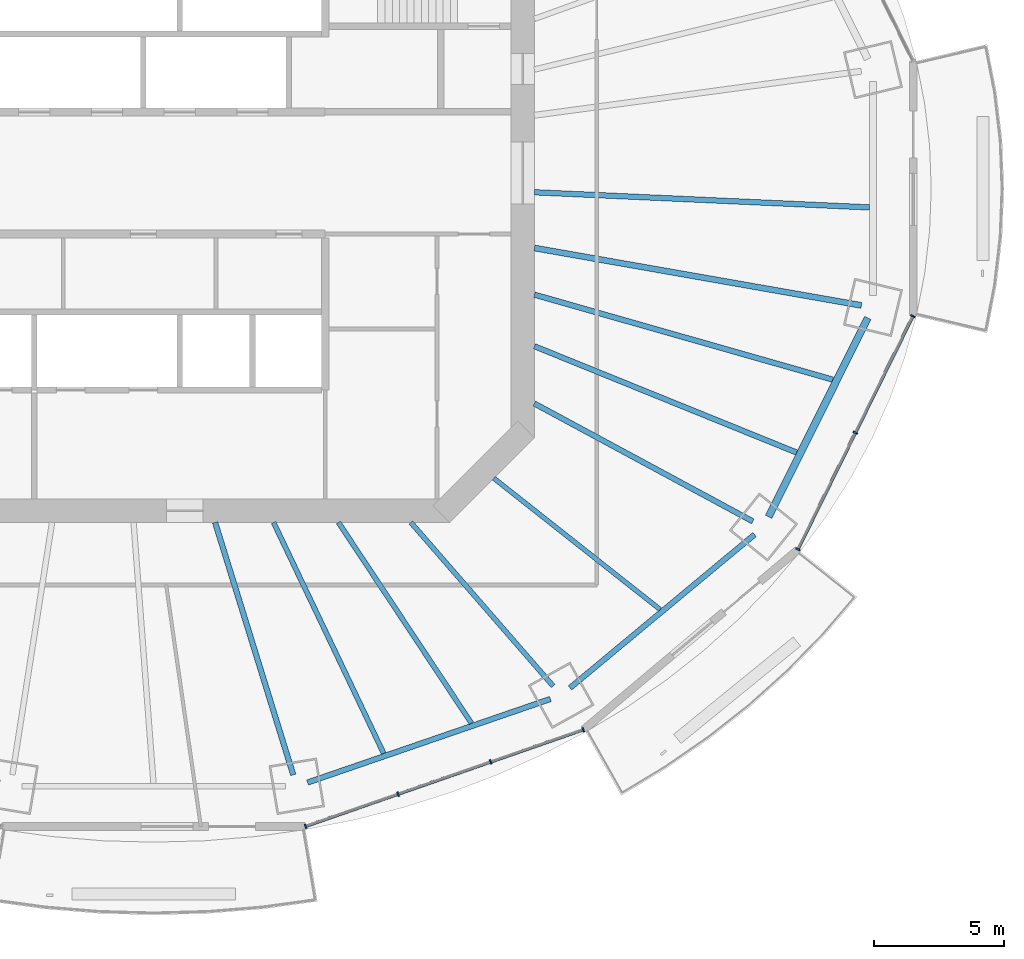
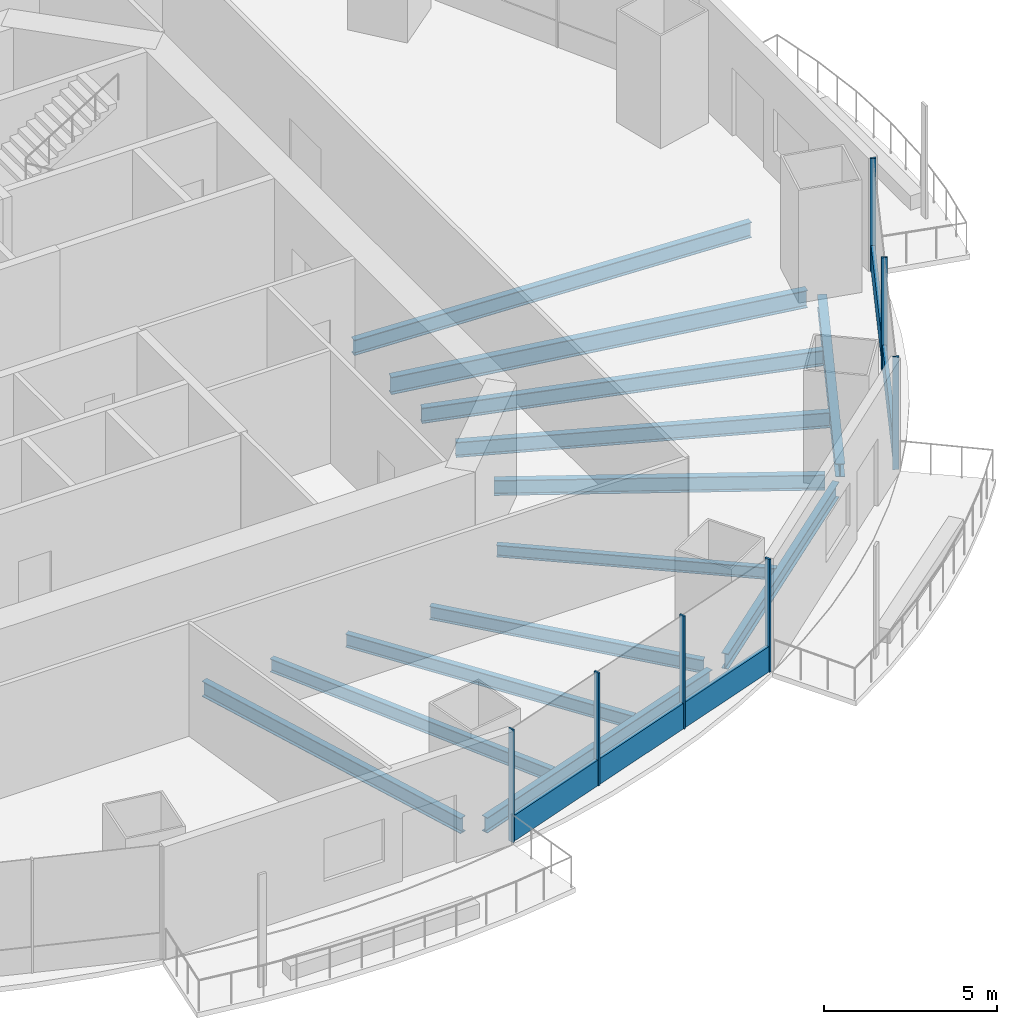
# One storey, part 4 of 19: 13 beams, 9 members, 2 elements without a shape of their own.
"""IFC4 building model written with IfcOpenShell, lengths in metres."""

import ifcopenshell
import ifcopenshell.guid

model = None  # the IFC model being written
_history = None  # IfcOwnerHistory: only IFC2X3 demands one
_inside = {}  # id of a spatial element -> (the spatial element, [elements in it])
_under = {}  # id of a project, library or spatial element -> (it, [spatial elements below it])
_declared = {}  # id of a project -> (the project, [libraries it declares])
_typed = {}  # id of a type object -> (the type object, [elements of that type])
_made_of = {}  # id of a material, layer set ... -> (it, [elements and type objects made of it])


def new_model(schema):
    """Start an empty IFC model of exactly this schema.

    Asked for "IFC4X3", IfcOpenShell would pick the latest addendum, in which some entities
    have other attributes; the version numbers below select the first issue.
    IFC2X3 requires an IfcOwnerHistory on every rooted entity: one is made here for all.
    """
    global model, _history
    if schema == "IFC4X3":
        model = ifcopenshell.file(schema_version=(4, 3, 0, 0))
    else:
        model = ifcopenshell.file(schema=schema)
    _inside.clear()
    _under.clear()
    _declared.clear()
    _typed.clear()
    _made_of.clear()
    _history = None
    if model.schema == "IFC2X3":
        org = make("IfcOrganization", Name="unknown")
        user = make(
            "IfcPersonAndOrganization",
            ThePerson=make("IfcPerson", FamilyName="unknown"),
            TheOrganization=org,
        )
        app = make(
            "IfcApplication",
            ApplicationDeveloper=org,
            Version="unknown",
            ApplicationFullName="unknown",
            ApplicationIdentifier="unknown",
        )
        _history = make(
            "IfcOwnerHistory",
            OwningUser=user,
            OwningApplication=app,
            ChangeAction="ADDED",
            CreationDate=0,
        )
    return model


def make(cls, **values):
    """One entity of the class cls with the attributes given. An attribute that is None is left unset."""
    return model.create_entity(
        cls, **{name: value for name, value in values.items() if value is not None}
    )


def rooted(cls, **values):
    """An entity with a GlobalId (a new one), such as an element, a storey or a relation."""
    return make(cls, GlobalId=ifcopenshell.guid.new(), OwnerHistory=_history, **values)


def si_unit(unit_type, name, prefix=None):
    """IfcSIUnit, for example si_unit("LENGTHUNIT", "METRE", prefix="MILLI")."""
    return make("IfcSIUnit", UnitType=unit_type, Prefix=prefix, Name=name)


def assignment(units):
    """IfcUnitAssignment: the units of a project."""
    return None if units is None else make("IfcUnitAssignment", Units=units)


def point(xyz):
    """IfcCartesianPoint."""
    return None if xyz is None else make("IfcCartesianPoint", Coordinates=xyz)


def direction(xyz):
    """IfcDirection."""
    return None if xyz is None else make("IfcDirection", DirectionRatios=xyz)


def frame(location, z_axis=None, x_axis=None):
    """IfcAxis2Placement3D, a coordinate frame: its origin and axes. An axis left out is left unset."""
    return make(
        "IfcAxis2Placement3D",
        Location=point(location),
        Axis=direction(z_axis),
        RefDirection=direction(x_axis),
    )


def frame_2d(location, x_axis=None):
    """IfcAxis2Placement2D, a coordinate frame in the plane: its origin and x axis."""
    return make(
        "IfcAxis2Placement2D", Location=point(location), RefDirection=direction(x_axis)
    )


def origin():
    """The frame at (0, 0, 0) with its axes left unset."""
    return frame((0.0, 0.0, 0.0))


def origin_2d():
    """The frame at (0, 0) in the plane with its x axis left unset."""
    return frame_2d((0.0, 0.0))


def place(relative_to, where):
    """IfcLocalPlacement: puts the frame where relative to a parent placement (None: the world)."""
    return make(
        "IfcLocalPlacement", PlacementRelTo=relative_to, RelativePlacement=where
    )


def context(
    kind, dimensions, precision=None, world=None, true_north=None, identifier=None
):
    """IfcGeometricRepresentationContext, for example the 3D "Model" context."""
    return make(
        "IfcGeometricRepresentationContext",
        ContextIdentifier=identifier,
        ContextType=kind,
        CoordinateSpaceDimension=dimensions,
        Precision=precision,
        WorldCoordinateSystem=world,
        TrueNorth=true_north,
    )


def subcontext(parent, identifier, kind, view, scale=None):
    """IfcGeometricRepresentationSubContext, for example "Body" below "Model"."""
    return make(
        "IfcGeometricRepresentationSubContext",
        ContextIdentifier=identifier,
        ContextType=kind,
        ParentContext=parent,
        TargetScale=scale,
        TargetView=view,
    )


def project(units=None, contexts=None):
    """IfcProject with its units and contexts."""
    return rooted(
        "IfcProject",
        Name="project",
        RepresentationContexts=contexts,
        UnitsInContext=assignment(units),
    )


def spatial(cls, under=None, at=None, **own):
    """A site, building, storey or space (cls), placed at a placement, below another one or the project."""
    s = rooted(cls, ObjectPlacement=at, **own)
    if under is not None:
        _under.setdefault(under.id(), (under, []))[1].append(s)
    return s


def profile(cls, at=None, kind="AREA", **sizes):
    """A parametric profile (cls). Its sizes go by their IFC names, for example OverallWidth=200.0."""
    return make(cls, ProfileType=kind, Position=at, **sizes)


def rectangle(**sizes):
    """IfcRectangleProfileDef."""
    return profile("IfcRectangleProfileDef", **sizes)


def i_section(**sizes):
    """IfcIShapeProfileDef."""
    return profile("IfcIShapeProfileDef", **sizes)


def extrude(swept, where, along, depth):
    """IfcExtrudedAreaSolid: the profile swept, set in the frame where, extruded along a direction by depth."""
    return make(
        "IfcExtrudedAreaSolid",
        SweptArea=swept,
        Position=where,
        ExtrudedDirection=direction(along),
        Depth=depth,
    )


def shape(context_of_items, identifier, shape_type, items):
    """IfcShapeRepresentation: the items that make up one representation, for example the "Body"."""
    return make(
        "IfcShapeRepresentation",
        ContextOfItems=context_of_items,
        RepresentationIdentifier=identifier,
        RepresentationType=shape_type,
        Items=items,
    )


def material(Name=None, Category=None):
    """IfcMaterial."""
    return make("IfcMaterial", Name=Name, Category=Category)


def material_profile(
    of_material, cross_section, Name=None, Category=None, Priority=None
):
    """IfcMaterialProfile: a cross section and its material."""
    return make(
        "IfcMaterialProfile",
        Name=Name,
        Material=of_material,
        Profile=cross_section,
        Priority=Priority,
        Category=Category,
    )


def profile_set(profiles, Name=None, composite=None):
    """IfcMaterialProfileSet."""
    return make(
        "IfcMaterialProfileSet",
        Name=Name,
        MaterialProfiles=profiles,
        CompositeProfile=composite,
    )


def made_of(thing, what):
    """Note that an element or type object is made of a material, layer set ...; save() writes the relation."""
    if what is not None:
        _made_of.setdefault(what.id(), (what, []))[1].append(thing)
    return thing


def type_object(cls, material=None, **own):
    """A type object (cls), such as IfcWallType, which elements share."""
    return made_of(rooted(cls, **own), material)


def element(
    cls,
    number,
    at=None,
    inside=None,
    cuts=None,
    type_object=None,
    material=None,
    context=None,
    identifier="Body",
    shape_type=None,
    held_by="IfcProductDefinitionShape",
    body=None,
    shapes=None,
    **own,
):
    """One element of the class cls, such as IfcWall. Its Tag is "e" and its number.

    at: its placement. inside: the storey or other place that contains it. cuts: it is an
    opening in that element (IfcRelVoidsElement). A single representation is given by context,
    identifier, shape_type and body (its items); several are given by shapes. held_by: the class
    of the entity that holds the representations. save() writes the other relations.
    """
    e = rooted(cls, Tag="e%d" % number, ObjectPlacement=at, **own)
    if body is not None:
        shapes = [shape(context, identifier, shape_type, body)]
    if shapes is not None:
        e.Representation = make(held_by, Representations=shapes)
    if inside is not None:
        _inside.setdefault(inside.id(), (inside, []))[1].append(e)
    if cuts is not None:
        rooted(
            "IfcRelVoidsElement", RelatingBuildingElement=cuts, RelatedOpeningElement=e
        )
    if type_object is not None:
        _typed.setdefault(type_object.id(), (type_object, []))[1].append(e)
    return made_of(e, material)


def aggregate(whole, parts):
    """IfcRelAggregates: a whole, such as a stair, and the parts it consists of."""
    return rooted("IfcRelAggregates", RelatingObject=whole, RelatedObjects=parts)


def save(model, path):
    """Write the relations noted so far, then the file.

    IfcRelAggregates (storeys below a building ...), IfcRelContainedInSpatialStructure (elements
    in a storey), IfcRelDefinesByType, IfcRelAssociatesMaterial and IfcRelDeclares: one each for
    every whole, place, type object, material and project.
    """
    for whole, parts in _under.values():
        aggregate(whole, parts)
    for where, things in _inside.values():
        rooted(
            "IfcRelContainedInSpatialStructure",
            RelatedElements=things,
            RelatingStructure=where,
        )
    for kind, things in _typed.values():
        rooted("IfcRelDefinesByType", RelatedObjects=things, RelatingType=kind)
    for what, things in _made_of.values():
        rooted("IfcRelAssociatesMaterial", RelatedObjects=things, RelatingMaterial=what)
    for by, libraries in _declared.values():
        rooted("IfcRelDeclares", RelatingContext=by, RelatedDefinitions=libraries)
    model.write(path)


model = new_model("IFC4")

# Units and contexts
model_context = context("Model", 3, precision=1e-05, world=origin(), true_north=direction((0.0, 1.0)))
body_context = subcontext(model_context, "Body", "Model", "MODEL_VIEW")
ifc_project = project(units=[si_unit("LENGTHUNIT", "METRE"), si_unit("AREAUNIT", "SQUARE_METRE"), si_unit("VOLUMEUNIT", "CUBIC_METRE"), si_unit("PLANEANGLEUNIT", "RADIAN"), si_unit("MASSUNIT", "GRAM", prefix="KILO")], contexts=[model_context])

# Site, building, storey
site_placement = place(None, origin())
site = spatial("IfcSite", under=ifc_project, at=site_placement, CompositionType="ELEMENT")
building_placement = place(site_placement, origin())
building = spatial("IfcBuilding", under=site, at=building_placement, Name="Marenthal Gate Tower", CompositionType="ELEMENT")
storey_placement = place(building_placement, frame((0.0, 0.0, 248.199951171875)))
storey = spatial("IfcBuildingStorey", under=building, at=storey_placement, Name="L55", CompositionType="ELEMENT", Elevation=248.199951171875)

# Curtain wall, members
ifc_material_1 = material(Name="Aluminium and glass", Category="aluminium")
curtain_wall_type = type_object("IfcCurtainWallType", Name="Curtain wall typical mid", PredefinedType="NOTDEFINED", material=ifc_material_1)
curtain_wall_1_placement = place(storey_placement, origin())
curtain_wall_1 = element("IfcCurtainWall", 1, at=curtain_wall_1_placement, inside=storey, type_object=curtain_wall_type, Name="Curtain wall L55 bay 13", PredefinedType="NOTDEFINED")
ifc_material_2 = material(Name="Aluminium", Category="aluminium")
ifc_material_profile_1 = material_profile(ifc_material_2, rectangle(XDim=0.179931640625, YDim=0.06005859375, at=origin_2d()), Name="60x180 aluminium mullion")
ifc_profile_set_1 = profile_set([ifc_material_profile_1], Name="Aluminium")
member_type_1 = type_object("IfcMemberType", Name="Mullion 60x180 typical mid", PredefinedType="MULLION", material=ifc_profile_set_1)
member_1_placement = place(storey_placement, frame((7.642578125, -25.14306640625, 0.0), z_axis=(0.0, 0.0, 1.0), x_axis=(-0.328612003593, 0.944465007872, 0.0)))
member_1 = element("IfcMember", 2, at=member_1_placement, type_object=member_type_1, Name="Mullion L55 bay 13.1", PredefinedType="MULLION", context=body_context, shape_type="SweptSolid", body=[
    extrude(rectangle(XDim=0.179931640625, YDim=0.06005859375, at=origin_2d()), origin(), (0.0, 0.0, 1.0), 3.969970703125),
])
member_2_placement = place(storey_placement, frame((11.204833984375, -23.90380859375, 0.0), z_axis=(0.0, 0.0, 1.0), x_axis=(-0.328612003593, 0.944465007872, 0.0)))
member_2 = element("IfcMember", 3, at=member_2_placement, type_object=member_type_1, Name="Mullion L55 bay 13.2", PredefinedType="MULLION", context=body_context, shape_type="SweptSolid", body=[
    extrude(rectangle(XDim=0.179931640625, YDim=0.06005859375, at=origin_2d()), origin(), (0.0, 0.0, 1.0), 3.969970703125),
])
member_3_placement = place(storey_placement, frame((14.76708984375, -22.664306640625, 0.0), z_axis=(0.0, 0.0, 1.0), x_axis=(-0.328612003593, 0.944465007872, 0.0)))
member_3 = element("IfcMember", 4, at=member_3_placement, type_object=member_type_1, Name="Mullion L55 bay 13.3", PredefinedType="MULLION", context=body_context, shape_type="SweptSolid", body=[
    extrude(rectangle(XDim=0.179931640625, YDim=0.06005859375, at=origin_2d()), origin(), (0.0, 0.0, 1.0), 3.969970703125),
])
member_4_placement = place(storey_placement, frame((18.329345703125, -21.4248046875, 0.0), z_axis=(0.0, 0.0, 1.0), x_axis=(-0.328612003593, 0.944465007872, 0.0)))
member_4 = element("IfcMember", 5, at=member_4_placement, type_object=member_type_1, Name="Mullion L55 bay 13.4", PredefinedType="MULLION", context=body_context, shape_type="SweptSolid", body=[
    extrude(rectangle(XDim=0.179931640625, YDim=0.06005859375, at=origin_2d()), origin(), (0.0, 0.0, 1.0), 3.969970703125),
])

curtain_wall_2_placement = place(storey_placement, origin())
curtain_wall_2 = element("IfcCurtainWall", 6, at=curtain_wall_2_placement, inside=storey, type_object=curtain_wall_type, Name="Curtain wall L55 bay 15", PredefinedType="NOTDEFINED")
member_5_placement = place(storey_placement, frame((26.593505859375, -14.481201171875, 0.0), z_axis=(0.0, 0.0, 1.0), x_axis=(-0.896882319585, 0.44226926732, 0.0)))
member_5 = element("IfcMember", 7, at=member_5_placement, type_object=member_type_1, Name="Mullion L55 bay 15.1", PredefinedType="MULLION", context=body_context, shape_type="SweptSolid", body=[
    extrude(rectangle(XDim=0.179931640625, YDim=0.06005859375, at=origin_2d()), origin(), (0.0, 0.0, 1.0), 3.969970703125),
])
member_6_placement = place(storey_placement, frame((28.805419921875, -9.99609375, 0.0), z_axis=(0.0, 0.0, 1.0), x_axis=(-0.896882319585, 0.44226926732, 0.0)))
member_6 = element("IfcMember", 8, at=member_6_placement, type_object=member_type_1, Name="Mullion L55 bay 15.2", PredefinedType="MULLION", context=body_context, shape_type="SweptSolid", body=[
    extrude(rectangle(XDim=0.179931640625, YDim=0.06005859375, at=origin_2d()), origin(), (0.0, 0.0, 1.0), 3.969970703125),
])
member_7_placement = place(storey_placement, frame((31.01708984375, -5.5107421875, 0.0), z_axis=(0.0, 0.0, 1.0), x_axis=(-0.896882319585, 0.44226926732, 0.0)))
member_7 = element("IfcMember", 9, at=member_7_placement, type_object=member_type_1, Name="Mullion L55 bay 15.3", PredefinedType="MULLION", context=body_context, shape_type="SweptSolid", body=[
    extrude(rectangle(XDim=0.179931640625, YDim=0.06005859375, at=origin_2d()), origin(), (0.0, 0.0, 1.0), 3.969970703125),
])

# Member
ifc_material_3 = material(Name="Aluminium", Category="aluminium")
ifc_material_profile_2 = material_profile(ifc_material_3, rectangle(XDim=0.1201171875, YDim=0.89990234375, at=origin_2d()), Name="120x900 aluminium transom")
ifc_profile_set_2 = profile_set([ifc_material_profile_2], Name="Aluminium")
member_type_2 = type_object("IfcMemberType", Name="Transom 120x900 typical mid", PredefinedType="USERDEFINED", material=ifc_profile_set_2)
member_8_placement = place(storey_placement, frame((7.6708984375, -25.13330078125, 0.449951171875), z_axis=(0.944467822316, 0.328603914477, 0.0), x_axis=(-0.328603914477, 0.944467822316, 0.0)))
member_8 = element("IfcMember", 10, at=member_8_placement, type_object=member_type_2, Name="Transom L55 bay 13", ObjectType="TRANSOM", PredefinedType="USERDEFINED", context=body_context, shape_type="SweptSolid", body=[
    extrude(rectangle(XDim=0.1201171875, YDim=0.89990234375, at=origin_2d()), origin(), (0.0, 0.0, 1.0), 11.255126953125),
])

aggregate(curtain_wall_1, [member_1, member_2, member_3, member_4, member_8])

member_9_placement = place(storey_placement, frame((26.60693359375, -14.454345703125, 0.449951171875), z_axis=(0.442255953319, 0.896888884842, 0.0), x_axis=(-0.896888884842, 0.442255953319, 0.0)))
member_9 = element("IfcMember", 11, at=member_9_placement, type_object=member_type_2, Name="Transom L55 bay 15", ObjectType="TRANSOM", PredefinedType="USERDEFINED", context=body_context, shape_type="SweptSolid", body=[
    extrude(rectangle(XDim=0.1201171875, YDim=0.89990234375, at=origin_2d()), origin(), (0.0, 0.0, 1.0), 9.941650390625),
])

aggregate(curtain_wall_2, [member_5, member_6, member_7, member_9])

# Beams
ifc_material_4 = material(Name="Steel S355", Category="steel")
ifc_material_profile_3 = material_profile(ifc_material_4, i_section(OverallWidth=0.180908203125, OverallDepth=0.4169921875, WebThickness=0.010986328125, FlangeThickness=0.018310546875, FilletRadius=0.01025390625, at=origin_2d()), Name="W410X85")
ifc_profile_set_3 = profile_set([ifc_material_profile_3], Name="Steel S355")
beam_type_1 = type_object("IfcBeamType", Name="W410X85 beam", PredefinedType="BEAM", material=ifc_profile_set_3)
beam_1_placement = place(storey_placement, frame((21.2880859375, -16.798583984375, -0.388427734375), z_axis=(-0.785017659508, 0.619473384626, 0.0), x_axis=(-0.619473384626, -0.785017659508, 0.0)))
element("IfcBeam", 12, at=beam_1_placement, inside=storey, type_object=beam_type_1, Name="BM-L55-37", PredefinedType="BEAM", context=body_context, shape_type="SweptSolid", body=[
    extrude(i_section(OverallWidth=0.180908203125, OverallDepth=0.4169921875, WebThickness=0.010986328125, FlangeThickness=0.018310546875, FilletRadius=0.01025390625, at=origin_2d()), origin(), (0.0, 0.0, 1.0), 8.152587890625),
])
ifc_material_5 = material(Name="Steel S355", Category="steel")
ifc_material_profile_4 = material_profile(ifc_material_5, i_section(OverallWidth=0.279052734375, OverallDepth=0.4619140625, WebThickness=0.0107421875, FlangeThickness=0.017333984375, FilletRadius=0.010009765625, at=origin_2d()), Name="W460X113")
ifc_profile_set_4 = profile_set([ifc_material_profile_4], Name="Steel S355")
beam_type_2 = type_object("IfcBeamType", Name="W460X113 beam", PredefinedType="BEAM", material=ifc_profile_set_4)
beam_2_placement = place(storey_placement, frame((25.4658203125, -13.23046875, -0.410888671875), z_axis=(0.446105412594, 0.894980424844, 0.0), x_axis=(-0.894980424844, 0.446105412594, 0.0)))
element("IfcBeam", 13, at=beam_2_placement, inside=storey, type_object=beam_type_2, Name="BM-L55-55", PredefinedType="BEAM", context=body_context, shape_type="SweptSolid", body=[
    extrude(i_section(OverallWidth=0.279052734375, OverallDepth=0.4619140625, WebThickness=0.0107421875, FlangeThickness=0.017333984375, FilletRadius=0.010009765625, at=origin_2d()), origin(), (0.0, 0.0, 1.0), 8.550537109375),
])
ifc_material_6 = material(Name="Steel S355", Category="steel")
ifc_material_profile_5 = material_profile(ifc_material_6, i_section(OverallWidth=0.193115234375, OverallDepth=0.467041015625, WebThickness=0.011474609375, FlangeThickness=0.01904296875, FilletRadius=0.010009765625, at=origin_2d()), Name="W460X97")
ifc_profile_set_5 = profile_set([ifc_material_profile_5], Name="Steel S355")
beam_type_3 = type_object("IfcBeamType", Name="W460X97 beam", PredefinedType="BEAM", material=ifc_profile_set_5)
beam_3_placement = place(storey_placement, frame((17.1708984375, -19.745849609375, -0.413330078125), z_axis=(-0.656189581621, 0.754596072725, 0.0), x_axis=(-0.754596072725, -0.656189581621, 0.0)))
element("IfcBeam", 14, at=beam_3_placement, inside=storey, type_object=beam_type_3, Name="BM-L55-14", PredefinedType="BEAM", context=body_context, shape_type="SweptSolid", body=[
    extrude(i_section(OverallWidth=0.193115234375, OverallDepth=0.467041015625, WebThickness=0.011474609375, FlangeThickness=0.01904296875, FilletRadius=0.010009765625, at=origin_2d()), origin(), (0.0, 0.0, 1.0), 8.343505859375),
])
beam_4_placement = place(storey_placement, frame((10.6513671875, -22.339599609375, -0.413330078125), z_axis=(-0.430377134493, 0.902649168894, 0.0), x_axis=(-0.902649168894, -0.430377134493, 0.0)))
element("IfcBeam", 15, at=beam_4_placement, inside=storey, type_object=beam_type_3, Name="BM-L55-35", PredefinedType="BEAM", context=body_context, shape_type="SweptSolid", body=[
    extrude(i_section(OverallWidth=0.193115234375, OverallDepth=0.467041015625, WebThickness=0.011474609375, FlangeThickness=0.01904296875, FilletRadius=0.010009765625, at=origin_2d()), origin(), (0.0, 0.0, 1.0), 9.848388671875),
])
beam_5_placement = place(storey_placement, frame((14.028076171875, -21.17724609375, -0.413330078125), z_axis=(-0.552242092317, 0.833683795856, 0.0), x_axis=(-0.833683795856, -0.552242092317, 0.0)))
element("IfcBeam", 16, at=beam_5_placement, inside=storey, type_object=beam_type_3, Name="BM-L55-36", PredefinedType="BEAM", context=body_context, shape_type="SweptSolid", body=[
    extrude(i_section(OverallWidth=0.193115234375, OverallDepth=0.467041015625, WebThickness=0.011474609375, FlangeThickness=0.01904296875, FilletRadius=0.010009765625, at=origin_2d()), origin(), (0.0, 0.0, 1.0), 9.268798828125),
])
ifc_material_7 = material(Name="Steel S355", Category="steel")
ifc_material_profile_6 = material_profile(ifc_material_7, i_section(OverallWidth=0.2099609375, OverallDepth=0.535888671875, WebThickness=0.010986328125, FlangeThickness=0.017333984375, FilletRadius=0.0126953125, at=origin_2d()), Name="W530X101")
ifc_profile_set_6 = profile_set([ifc_material_profile_6], Name="Steel S355")
beam_type_4 = type_object("IfcBeamType", Name="W530X101 beam", PredefinedType="BEAM", material=ifc_profile_set_6)
beam_6_placement = place(storey_placement, frame((24.8564453125, -13.408935546875, -0.447998046875), z_axis=(-0.880106434399, 0.474776435947, 0.0), x_axis=(-0.474776435947, -0.880106434399, 0.0)))
element("IfcBeam", 17, at=beam_6_placement, inside=storey, type_object=beam_type_4, Name="BM-L55-15", PredefinedType="BEAM", context=body_context, shape_type="SweptSolid", body=[
    extrude(i_section(OverallWidth=0.2099609375, OverallDepth=0.535888671875, WebThickness=0.010986328125, FlangeThickness=0.017333984375, FilletRadius=0.0126953125, at=origin_2d()), origin(), (0.0, 0.0, 1.0), 9.5517578125),
])
beam_7_placement = place(storey_placement, frame((26.541748046875, -10.759521484375, -0.447998046875), z_axis=(-0.92674580837, 0.375688975974, 0.0), x_axis=(-0.375688975974, -0.92674580837, 0.0)))
element("IfcBeam", 18, at=beam_7_placement, inside=storey, type_object=beam_type_4, Name="BM-L55-38", PredefinedType="BEAM", context=body_context, shape_type="SweptSolid", body=[
    extrude(i_section(OverallWidth=0.2099609375, OverallDepth=0.535888671875, WebThickness=0.010986328125, FlangeThickness=0.017333984375, FilletRadius=0.0126953125, at=origin_2d()), origin(), (0.0, 0.0, 1.0), 10.889404296875),
])
ifc_material_8 = material(Name="Steel S355", Category="steel")
ifc_material_profile_7 = material_profile(ifc_material_8, i_section(OverallWidth=0.2119140625, OverallDepth=0.5439453125, WebThickness=0.01318359375, FlangeThickness=0.021240234375, FilletRadius=0.0126953125, at=origin_2d()), Name="W530X123")
ifc_profile_set_7 = profile_set([ifc_material_profile_7], Name="Steel S355")
beam_type_5 = type_object("IfcBeamType", Name="W530X123 beam", PredefinedType="BEAM", material=ifc_profile_set_7)
beam_8_placement = place(storey_placement, frame((7.17041015625, -23.164794921875, -0.451904296875), z_axis=(-0.295715024852, 0.955276203031, 0.0), x_axis=(-0.955276203031, -0.295715024852, 0.0)))
element("IfcBeam", 19, at=beam_8_placement, inside=storey, type_object=beam_type_5, Name="BM-L55-13", PredefinedType="BEAM", context=body_context, shape_type="SweptSolid", body=[
    extrude(i_section(OverallWidth=0.2119140625, OverallDepth=0.5439453125, WebThickness=0.01318359375, FlangeThickness=0.021240234375, FilletRadius=0.0126953125, at=origin_2d()), origin(), (0.0, 0.0, 1.0), 10.169677734375),
])
beam_9_placement = place(storey_placement, frame((27.939453125, -7.955078125, -0.451904296875), z_axis=(-0.961771880099, 0.273851877209, 0.0), x_axis=(-0.273851877209, -0.961771880099, 0.0)))
element("IfcBeam", 20, at=beam_9_placement, inside=storey, type_object=beam_type_5, Name="BM-L55-39", PredefinedType="BEAM", context=body_context, shape_type="SweptSolid", body=[
    extrude(i_section(OverallWidth=0.2119140625, OverallDepth=0.5439453125, WebThickness=0.01318359375, FlangeThickness=0.021240234375, FilletRadius=0.0126953125, at=origin_2d()), origin(), (0.0, 0.0, 1.0), 11.9462890625),
])
beam_10_placement = place(storey_placement, frame((29.34130859375, -1.32568359375, -0.451904296875), z_axis=(-0.998981489101, 0.045121884202, 0.0), x_axis=(-0.045121884202, -0.998981489101, 0.0)))
element("IfcBeam", 21, at=beam_10_placement, inside=storey, type_object=beam_type_5, Name="BM-L55-40", PredefinedType="BEAM", context=body_context, shape_type="SweptSolid", body=[
    extrude(i_section(OverallWidth=0.2119140625, OverallDepth=0.5439453125, WebThickness=0.01318359375, FlangeThickness=0.021240234375, FilletRadius=0.0126953125, at=origin_2d()), origin(), (0.0, 0.0, 1.0), 12.904541015625),
])
beam_11_placement = place(storey_placement, frame((7.72021484375, -23.460693359375, -0.451904296875), z_axis=(0.945555035824, 0.325462247007, 0.0), x_axis=(-0.325462247007, 0.945555035824, 0.0)))
element("IfcBeam", 22, at=beam_11_placement, inside=storey, type_object=beam_type_5, Name="BM-L55-53", PredefinedType="BEAM", context=body_context, shape_type="SweptSolid", body=[
    extrude(i_section(OverallWidth=0.2119140625, OverallDepth=0.5439453125, WebThickness=0.01318359375, FlangeThickness=0.021240234375, FilletRadius=0.0126953125, at=origin_2d()), origin(), (0.0, 0.0, 1.0), 9.88232421875),
])
beam_12_placement = place(storey_placement, frame((17.8193359375, -19.819091796875, -0.451904296875), z_axis=(0.769104243953, 0.639123354239, 0.0), x_axis=(-0.639123354239, 0.769104243953, 0.0)))
element("IfcBeam", 23, at=beam_12_placement, inside=storey, type_object=beam_type_5, Name="BM-L55-54", PredefinedType="BEAM", context=body_context, shape_type="SweptSolid", body=[
    extrude(i_section(OverallWidth=0.2119140625, OverallDepth=0.5439453125, WebThickness=0.01318359375, FlangeThickness=0.021240234375, FilletRadius=0.0126953125, at=origin_2d()), origin(), (0.0, 0.0, 1.0), 9.2392578125),
])
ifc_material_9 = material(Name="Steel S355", Category="steel")
ifc_material_profile_8 = material_profile(ifc_material_9, i_section(OverallWidth=0.22900390625, OverallDepth=0.612060546875, WebThickness=0.011962890625, FlangeThickness=0.01953125, FilletRadius=0.0126953125, at=origin_2d()), Name="W610X125")
ifc_profile_set_8 = profile_set([ifc_material_profile_8], Name="Steel S355")
beam_type_6 = type_object("IfcBeamType", Name="W610X125 beam", PredefinedType="BEAM", material=ifc_profile_set_8)
beam_13_placement = place(storey_placement, frame((29.035888671875, -5.097412109375, -0.48583984375), z_axis=(-0.984938192619, 0.17290678622, 0.0), x_axis=(-0.17290678622, -0.984938192619, 0.0)))
element("IfcBeam", 24, at=beam_13_placement, inside=storey, type_object=beam_type_6, Name="BM-L55-16", PredefinedType="BEAM", context=body_context, shape_type="SweptSolid", body=[
    extrude(i_section(OverallWidth=0.22900390625, OverallDepth=0.612060546875, WebThickness=0.011962890625, FlangeThickness=0.01953125, FilletRadius=0.0126953125, at=origin_2d()), origin(), (0.0, 0.0, 1.0), 12.7783203125),
])

save(model, "model.ifc")
